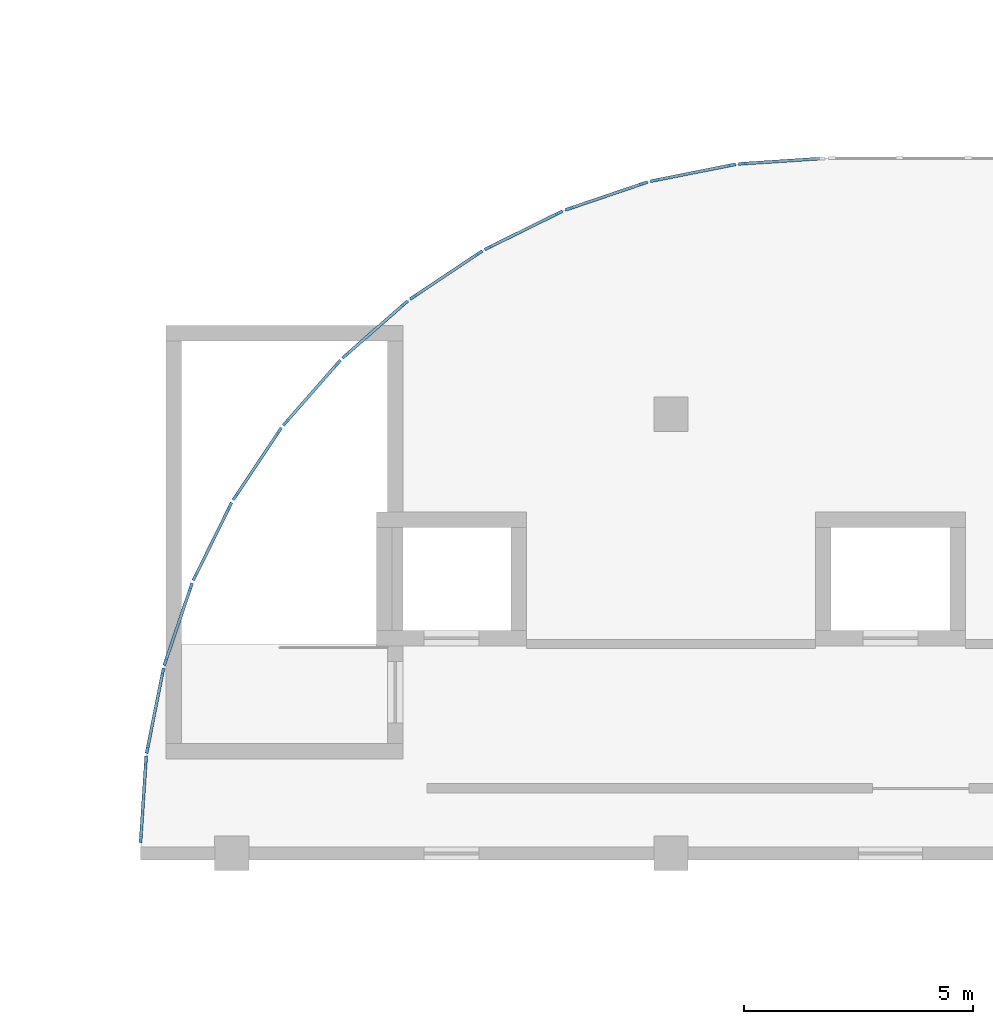
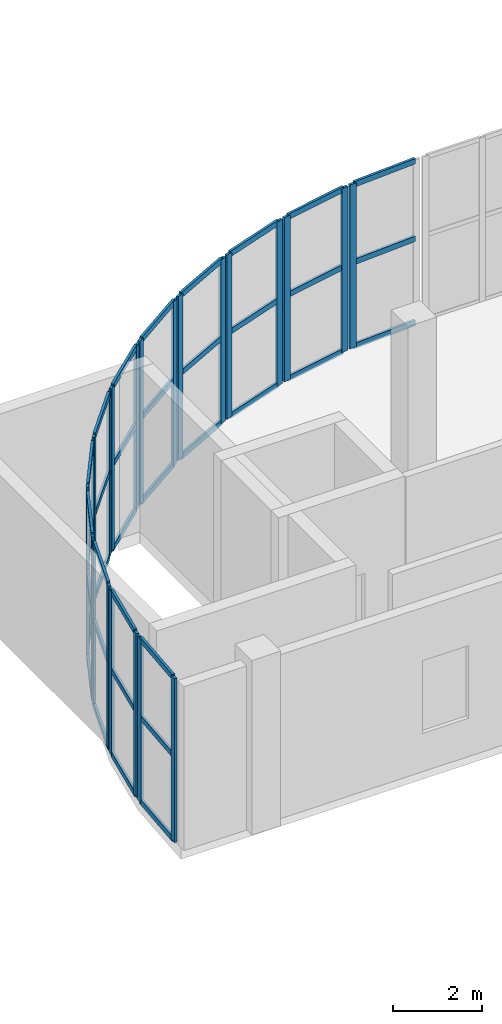
# One storey, part 13 of 28: 59 members, 12 elements without a shape of their own.
"""IFC4 building model written with IfcOpenShell, lengths in metres."""

from ifc_helpers import new_model, si_unit, direction, frame, origin, origin_2d, place, context, subcontext, project, spatial, rectangle, extrude, material, layer, layer_set, material_profile, profile_set, type_object, element, aggregate, save


model = new_model("IFC4")

# Units and contexts
model_context = context("Model", 3, precision=1e-05, world=origin(), true_north=direction((0.0, 1.0)))
body_context = subcontext(model_context, "Body", "Model", "MODEL_VIEW")
ifc_project = project(units=[si_unit("LENGTHUNIT", "METRE"), si_unit("AREAUNIT", "SQUARE_METRE"), si_unit("VOLUMEUNIT", "CUBIC_METRE"), si_unit("PLANEANGLEUNIT", "RADIAN"), si_unit("MASSUNIT", "GRAM", prefix="KILO")], contexts=[model_context])

# Site, building, storey
site_placement = place(None, origin())
site = spatial("IfcSite", under=ifc_project, at=site_placement, CompositionType="ELEMENT")
building_placement = place(site_placement, origin())
building = spatial("IfcBuilding", under=site, at=building_placement, Name="Cendralis Terraced Arcade", CompositionType="ELEMENT")
storey_placement = place(building_placement, frame((0.0, 0.0, 24.60009765625)))
storey = spatial("IfcBuildingStorey", under=building, at=storey_placement, Name="L05", CompositionType="ELEMENT", Elevation=24.60009765625)

# Curtain wall, members
ifc_material = material(Name="Anodised aluminium EN AW-6063 T6", Category="aluminium")
ifc_layer = layer(ifc_material, 0.179931640625, Name="CW-UNIT-A")
ifc_layer_set = layer_set([ifc_layer], Name="Anodised aluminium EN AW-6063 T6")
curtain_wall_type = type_object("IfcCurtainWallType", Name="CW-UNIT-A", PredefinedType="USERDEFINED", material=ifc_layer_set)
curtain_wall_1_placement = place(storey_placement, origin())
curtain_wall_1 = element("IfcCurtainWall", 1, at=curtain_wall_1_placement, inside=storey, type_object=curtain_wall_type, Name="Exterior Unitised Facade CW-L05-0431", ObjectType="UNITISED FACADE", PredefinedType="USERDEFINED")
ifc_material_profile_1 = material_profile(ifc_material, rectangle(XDim=0.06494140625, YDim=0.179931640625, at=origin_2d()), Name="ALU-MUL-65x180")
ifc_profile_set_1 = profile_set([ifc_material_profile_1], Name="Anodised aluminium EN AW-6063 T6")
member_type_1 = type_object("IfcMemberType", Name="CW-UNIT-A-MUL", PredefinedType="MULLION", material=ifc_profile_set_1)
member_1_placement = place(storey_placement, frame((7.60791015625, 69.922119140625, 0.0), z_axis=(0.0, 0.0, 1.0), x_axis=(-0.997860971336, 0.065371873798, 0.0)))
member_1 = element("IfcMember", 2, at=member_1_placement, type_object=member_type_1, Name="CW-U1 mullion 1", PredefinedType="MULLION", context=body_context, shape_type="SweptSolid", body=[
    extrude(rectangle(XDim=0.06494140625, YDim=0.179931640625, at=origin_2d()), origin(), (0.0, 0.0, 1.0), 4.510009765625),
])
member_2_placement = place(storey_placement, frame((7.72021484375, 71.6357421875, 0.0), z_axis=(0.0, 0.0, 1.0), x_axis=(-0.997860971336, 0.065371873798, 0.0)))
member_2 = element("IfcMember", 3, at=member_2_placement, type_object=member_type_1, Name="CW-U1 mullion 2", PredefinedType="MULLION", context=body_context, shape_type="SweptSolid", body=[
    extrude(rectangle(XDim=0.06494140625, YDim=0.179931640625, at=origin_2d()), origin(), (0.0, 0.0, 1.0), 4.510009765625),
])

curtain_wall_2_placement = place(storey_placement, origin())
curtain_wall_2 = element("IfcCurtainWall", 4, at=curtain_wall_2_placement, inside=storey, type_object=curtain_wall_type, Name="Exterior Unitised Facade CW-L05-0432", ObjectType="UNITISED FACADE", PredefinedType="USERDEFINED")
member_3_placement = place(storey_placement, frame((7.752197265625, 71.878173828125, 0.0), z_axis=(0.0, 0.0, 1.0), x_axis=(-0.980791618721, 0.195058454434, 0.0)))
member_3 = element("IfcMember", 5, at=member_3_placement, type_object=member_type_1, Name="CW-U1 mullion 1", PredefinedType="MULLION", context=body_context, shape_type="SweptSolid", body=[
    extrude(rectangle(XDim=0.06494140625, YDim=0.179931640625, at=origin_2d()), origin(), (0.0, 0.0, 1.0), 4.510009765625),
])
member_4_placement = place(storey_placement, frame((8.087158203125, 73.56201171875, 0.0), z_axis=(0.0, 0.0, 1.0), x_axis=(-0.980791618721, 0.195058454434, 0.0)))
member_4 = element("IfcMember", 6, at=member_4_placement, type_object=member_type_1, Name="CW-U1 mullion 2", PredefinedType="MULLION", context=body_context, shape_type="SweptSolid", body=[
    extrude(rectangle(XDim=0.06494140625, YDim=0.179931640625, at=origin_2d()), origin(), (0.0, 0.0, 1.0), 4.510009765625),
])

curtain_wall_3_placement = place(storey_placement, origin())
curtain_wall_3 = element("IfcCurtainWall", 7, at=curtain_wall_3_placement, inside=storey, type_object=curtain_wall_type, Name="Exterior Unitised Facade CW-L05-0433", ObjectType="UNITISED FACADE", PredefinedType="USERDEFINED")
member_5_placement = place(storey_placement, frame((8.150390625, 73.79833984375, 0.0), z_axis=(0.0, 0.0, 1.0), x_axis=(-0.946923811316, 0.321458077458, 0.0)))
member_5 = element("IfcMember", 8, at=member_5_placement, type_object=member_type_1, Name="CW-U1 mullion 1", PredefinedType="MULLION", context=body_context, shape_type="SweptSolid", body=[
    extrude(rectangle(XDim=0.06494140625, YDim=0.179931640625, at=origin_2d()), origin(), (0.0, 0.0, 1.0), 4.510009765625),
])
member_6_placement = place(storey_placement, frame((8.702392578125, 75.42431640625, 0.0), z_axis=(0.0, 0.0, 1.0), x_axis=(-0.946923811316, 0.321458077458, 0.0)))
member_6 = element("IfcMember", 9, at=member_6_placement, type_object=member_type_1, Name="CW-U1 mullion 2", PredefinedType="MULLION", context=body_context, shape_type="SweptSolid", body=[
    extrude(rectangle(XDim=0.06494140625, YDim=0.179931640625, at=origin_2d()), origin(), (0.0, 0.0, 1.0), 4.510009765625),
])

curtain_wall_4_placement = place(storey_placement, origin())
curtain_wall_4 = element("IfcCurtainWall", 10, at=curtain_wall_4_placement, inside=storey, type_object=curtain_wall_type, Name="Exterior Unitised Facade CW-L05-0434", ObjectType="UNITISED FACADE", PredefinedType="USERDEFINED")
member_7_placement = place(storey_placement, frame((8.7958984375, 75.650146484375, 0.0), z_axis=(0.0, 0.0, 1.0), x_axis=(-0.896871480419, 0.442291247495, 0.0)))
member_7 = element("IfcMember", 11, at=member_7_placement, type_object=member_type_1, Name="CW-U1 mullion 1", PredefinedType="MULLION", context=body_context, shape_type="SweptSolid", body=[
    extrude(rectangle(XDim=0.06494140625, YDim=0.179931640625, at=origin_2d()), origin(), (0.0, 0.0, 1.0), 4.510009765625),
])
member_8_placement = place(storey_placement, frame((9.555419921875, 77.190185546875, 0.0), z_axis=(0.0, 0.0, 1.0), x_axis=(-0.896871480419, 0.442291247495, 0.0)))
member_8 = element("IfcMember", 12, at=member_8_placement, type_object=member_type_1, Name="CW-U1 mullion 2", PredefinedType="MULLION", context=body_context, shape_type="SweptSolid", body=[
    extrude(rectangle(XDim=0.06494140625, YDim=0.179931640625, at=origin_2d()), origin(), (0.0, 0.0, 1.0), 4.510009765625),
])

curtain_wall_5_placement = place(storey_placement, origin())
curtain_wall_5 = element("IfcCurtainWall", 13, at=curtain_wall_5_placement, inside=storey, type_object=curtain_wall_type, Name="Exterior Unitised Facade CW-L05-0435", ObjectType="UNITISED FACADE", PredefinedType="USERDEFINED")
member_9_placement = place(storey_placement, frame((9.677734375, 77.40185546875, 0.0), z_axis=(0.0, 0.0, 1.0), x_axis=(-0.831471454125, 0.555567476528, 0.0)))
member_9 = element("IfcMember", 14, at=member_9_placement, type_object=member_type_1, Name="CW-U1 mullion 1", PredefinedType="MULLION", context=body_context, shape_type="SweptSolid", body=[
    extrude(rectangle(XDim=0.06494140625, YDim=0.179931640625, at=origin_2d()), origin(), (0.0, 0.0, 1.0), 4.510009765625),
])
member_10_placement = place(storey_placement, frame((10.631591796875, 78.82958984375, 0.0), z_axis=(0.0, 0.0, 1.0), x_axis=(-0.831471454125, 0.555567476528, 0.0)))
member_10 = element("IfcMember", 15, at=member_10_placement, type_object=member_type_1, Name="CW-U1 mullion 2", PredefinedType="MULLION", context=body_context, shape_type="SweptSolid", body=[
    extrude(rectangle(XDim=0.06494140625, YDim=0.179931640625, at=origin_2d()), origin(), (0.0, 0.0, 1.0), 4.510009765625),
])

curtain_wall_6_placement = place(storey_placement, origin())
curtain_wall_6 = element("IfcCurtainWall", 16, at=curtain_wall_6_placement, inside=storey, type_object=curtain_wall_type, Name="Exterior Unitised Facade CW-L05-0436", ObjectType="UNITISED FACADE", PredefinedType="USERDEFINED")
member_11_placement = place(storey_placement, frame((10.780517578125, 79.0234375, 0.0), z_axis=(0.0, 0.0, 1.0), x_axis=(-0.751804497477, 0.659386076266, 0.0)))
member_11 = element("IfcMember", 17, at=member_11_placement, type_object=member_type_1, Name="CW-U1 mullion 1", PredefinedType="MULLION", context=body_context, shape_type="SweptSolid", body=[
    extrude(rectangle(XDim=0.06494140625, YDim=0.179931640625, at=origin_2d()), origin(), (0.0, 0.0, 1.0), 4.510009765625),
])
member_12_placement = place(storey_placement, frame((11.91259765625, 80.314453125, 0.0), z_axis=(0.0, 0.0, 1.0), x_axis=(-0.751804497477, 0.659386076266, 0.0)))
member_12 = element("IfcMember", 18, at=member_12_placement, type_object=member_type_1, Name="CW-U1 mullion 2", PredefinedType="MULLION", context=body_context, shape_type="SweptSolid", body=[
    extrude(rectangle(XDim=0.06494140625, YDim=0.179931640625, at=origin_2d()), origin(), (0.0, 0.0, 1.0), 4.510009765625),
])

curtain_wall_7_placement = place(storey_placement, origin())
curtain_wall_7 = element("IfcCurtainWall", 19, at=curtain_wall_7_placement, inside=storey, type_object=curtain_wall_type, Name="Exterior Unitised Facade CW-L05-0437", ObjectType="UNITISED FACADE", PredefinedType="USERDEFINED")
member_13_placement = place(storey_placement, frame((12.08544921875, 80.4873046875, 0.0), z_axis=(0.0, 0.0, 1.0), x_axis=(-0.659386076266, 0.751804497477, 0.0)))
member_13 = element("IfcMember", 20, at=member_13_placement, type_object=member_type_1, Name="CW-U1 mullion 1", PredefinedType="MULLION", context=body_context, shape_type="SweptSolid", body=[
    extrude(rectangle(XDim=0.06494140625, YDim=0.179931640625, at=origin_2d()), origin(), (0.0, 0.0, 1.0), 4.510009765625),
])
member_14_placement = place(storey_placement, frame((13.37646484375, 81.61962890625, 0.0), z_axis=(0.0, 0.0, 1.0), x_axis=(-0.659386076266, 0.751804497477, 0.0)))
member_14 = element("IfcMember", 21, at=member_14_placement, type_object=member_type_1, Name="CW-U1 mullion 2", PredefinedType="MULLION", context=body_context, shape_type="SweptSolid", body=[
    extrude(rectangle(XDim=0.06494140625, YDim=0.179931640625, at=origin_2d()), origin(), (0.0, 0.0, 1.0), 4.510009765625),
])

curtain_wall_8_placement = place(storey_placement, origin())
curtain_wall_8 = element("IfcCurtainWall", 22, at=curtain_wall_8_placement, inside=storey, type_object=curtain_wall_type, Name="Exterior Unitised Facade CW-L05-0438", ObjectType="UNITISED FACADE", PredefinedType="USERDEFINED")
member_15_placement = place(storey_placement, frame((13.5703125, 81.768310546875, 0.0), z_axis=(0.0, 0.0, 1.0), x_axis=(-0.555567476528, 0.831471454125, 0.0)))
member_15 = element("IfcMember", 23, at=member_15_placement, type_object=member_type_1, Name="CW-U1 mullion 1", PredefinedType="MULLION", context=body_context, shape_type="SweptSolid", body=[
    extrude(rectangle(XDim=0.06494140625, YDim=0.179931640625, at=origin_2d()), origin(), (0.0, 0.0, 1.0), 4.510009765625),
])
member_16_placement = place(storey_placement, frame((14.998291015625, 82.722412109375, 0.0), z_axis=(0.0, 0.0, 1.0), x_axis=(-0.555567476528, 0.831471454125, 0.0)))
member_16 = element("IfcMember", 24, at=member_16_placement, type_object=member_type_1, Name="CW-U1 mullion 2", PredefinedType="MULLION", context=body_context, shape_type="SweptSolid", body=[
    extrude(rectangle(XDim=0.06494140625, YDim=0.179931640625, at=origin_2d()), origin(), (0.0, 0.0, 1.0), 4.510009765625),
])

curtain_wall_9_placement = place(storey_placement, origin())
curtain_wall_9 = element("IfcCurtainWall", 25, at=curtain_wall_9_placement, inside=storey, type_object=curtain_wall_type, Name="Exterior Unitised Facade CW-L05-0439", ObjectType="UNITISED FACADE", PredefinedType="USERDEFINED")
member_17_placement = place(storey_placement, frame((15.2099609375, 82.844482421875, 0.0), z_axis=(0.0, 0.0, 1.0), x_axis=(-0.442291247495, 0.896871480419, 0.0)))
member_17 = element("IfcMember", 26, at=member_17_placement, type_object=member_type_1, Name="CW-U1 mullion 1", PredefinedType="MULLION", context=body_context, shape_type="SweptSolid", body=[
    extrude(rectangle(XDim=0.06494140625, YDim=0.179931640625, at=origin_2d()), origin(), (0.0, 0.0, 1.0), 4.510009765625),
])
member_18_placement = place(storey_placement, frame((16.749755859375, 83.60400390625, 0.0), z_axis=(0.0, 0.0, 1.0), x_axis=(-0.442291247495, 0.896871480419, 0.0)))
member_18 = element("IfcMember", 27, at=member_18_placement, type_object=member_type_1, Name="CW-U1 mullion 2", PredefinedType="MULLION", context=body_context, shape_type="SweptSolid", body=[
    extrude(rectangle(XDim=0.06494140625, YDim=0.179931640625, at=origin_2d()), origin(), (0.0, 0.0, 1.0), 4.510009765625),
])

curtain_wall_10_placement = place(storey_placement, origin())
curtain_wall_10 = element("IfcCurtainWall", 28, at=curtain_wall_10_placement, inside=storey, type_object=curtain_wall_type, Name="Exterior Unitised Facade CW-L05-0440", ObjectType="UNITISED FACADE", PredefinedType="USERDEFINED")
member_19_placement = place(storey_placement, frame((16.9755859375, 83.697509765625, 0.0), z_axis=(0.0, 0.0, 1.0), x_axis=(-0.321458077458, 0.946923811316, 0.0)))
member_19 = element("IfcMember", 29, at=member_19_placement, type_object=member_type_1, Name="CW-U1 mullion 1", PredefinedType="MULLION", context=body_context, shape_type="SweptSolid", body=[
    extrude(rectangle(XDim=0.06494140625, YDim=0.179931640625, at=origin_2d()), origin(), (0.0, 0.0, 1.0), 4.510009765625),
])
member_20_placement = place(storey_placement, frame((18.601806640625, 84.24951171875, 0.0), z_axis=(0.0, 0.0, 1.0), x_axis=(-0.321458077458, 0.946923811316, 0.0)))
member_20 = element("IfcMember", 30, at=member_20_placement, type_object=member_type_1, Name="CW-U1 mullion 2", PredefinedType="MULLION", context=body_context, shape_type="SweptSolid", body=[
    extrude(rectangle(XDim=0.06494140625, YDim=0.179931640625, at=origin_2d()), origin(), (0.0, 0.0, 1.0), 4.510009765625),
])

curtain_wall_11_placement = place(storey_placement, origin())
curtain_wall_11 = element("IfcCurtainWall", 31, at=curtain_wall_11_placement, inside=storey, type_object=curtain_wall_type, Name="Exterior Unitised Facade CW-L05-0441", ObjectType="UNITISED FACADE", PredefinedType="USERDEFINED")
member_21_placement = place(storey_placement, frame((18.837890625, 84.312744140625, 0.0), z_axis=(0.0, 0.0, 1.0), x_axis=(-0.195058454434, 0.980791618721, 0.0)))
member_21 = element("IfcMember", 32, at=member_21_placement, type_object=member_type_1, Name="CW-U1 mullion 1", PredefinedType="MULLION", context=body_context, shape_type="SweptSolid", body=[
    extrude(rectangle(XDim=0.06494140625, YDim=0.179931640625, at=origin_2d()), origin(), (0.0, 0.0, 1.0), 4.510009765625),
])
member_22_placement = place(storey_placement, frame((20.52197265625, 84.647705078125, 0.0), z_axis=(0.0, 0.0, 1.0), x_axis=(-0.195058454434, 0.980791618721, 0.0)))
member_22 = element("IfcMember", 33, at=member_22_placement, type_object=member_type_1, Name="CW-U1 mullion 2", PredefinedType="MULLION", context=body_context, shape_type="SweptSolid", body=[
    extrude(rectangle(XDim=0.06494140625, YDim=0.179931640625, at=origin_2d()), origin(), (0.0, 0.0, 1.0), 4.510009765625),
])

# Curtain wall, member
curtain_wall_12_placement = place(storey_placement, origin())
curtain_wall_12 = element("IfcCurtainWall", 34, at=curtain_wall_12_placement, inside=storey, type_object=curtain_wall_type, Name="Exterior Unitised Facade CW-L05-0442", ObjectType="UNITISED FACADE", PredefinedType="USERDEFINED")
member_23_placement = place(storey_placement, frame((20.764404296875, 84.6796875, 0.0), z_axis=(0.0, 0.0, 1.0), x_axis=(-0.065371873798, 0.997860971336, 0.0)))
member_23 = element("IfcMember", 35, at=member_23_placement, type_object=member_type_1, Name="CW-U1 mullion 1", PredefinedType="MULLION", context=body_context, shape_type="SweptSolid", body=[
    extrude(rectangle(XDim=0.06494140625, YDim=0.179931640625, at=origin_2d()), origin(), (0.0, 0.0, 1.0), 4.510009765625),
])

# Member
ifc_material_profile_2 = material_profile(ifc_material, rectangle(XDim=0.06494140625, YDim=0.14990234375, at=origin_2d()), Name="ALU-TRN-65x150")
ifc_profile_set_2 = profile_set([ifc_material_profile_2], Name="Anodised aluminium EN AW-6063 T6")
member_type_2 = type_object("IfcMemberType", Name="CW-UNIT-A-TRN", PredefinedType="USERDEFINED", material=ifc_profile_set_2)
member_24_placement = place(storey_placement, frame((7.610107421875, 69.95458984375, 0.032470703125), z_axis=(0.065459774551, 0.997855208893, 0.0), x_axis=(-0.997855208893, 0.065459774551, 0.0)))
member_24 = element("IfcMember", 36, at=member_24_placement, type_object=member_type_2, Name="CW-U1 transom 1.1", ObjectType="TRANSOM", PredefinedType="USERDEFINED", context=body_context, shape_type="SweptSolid", body=[
    extrude(rectangle(XDim=0.06494140625, YDim=0.14990234375, at=origin_2d()), origin(), (0.0, 0.0, 1.0), 1.65234375),
])

member_25_placement = place(storey_placement, frame((7.610107421875, 69.95458984375, 2.34521484375), z_axis=(0.065459774551, 0.997855208893, 0.0), x_axis=(-0.997855208893, 0.065459774551, 0.0)))
member_25 = element("IfcMember", 37, at=member_25_placement, type_object=member_type_2, Name="CW-U1 transom 1.2", ObjectType="TRANSOM", PredefinedType="USERDEFINED", context=body_context, shape_type="SweptSolid", body=[
    extrude(rectangle(XDim=0.06494140625, YDim=0.14990234375, at=origin_2d()), origin(), (0.0, 0.0, 1.0), 1.65234375),
])

member_26_placement = place(storey_placement, frame((7.610107421875, 69.95458984375, 4.477294921875), z_axis=(0.065459774551, 0.997855208893, 0.0), x_axis=(-0.997855208893, 0.065459774551, 0.0)))
member_26 = element("IfcMember", 38, at=member_26_placement, type_object=member_type_2, Name="CW-U1 transom 1.3", ObjectType="TRANSOM", PredefinedType="USERDEFINED", context=body_context, shape_type="SweptSolid", body=[
    extrude(rectangle(XDim=0.06494140625, YDim=0.14990234375, at=origin_2d()), origin(), (0.0, 0.0, 1.0), 1.65234375),
])

aggregate(curtain_wall_1, [member_1, member_2, member_24, member_25, member_26])

member_27_placement = place(storey_placement, frame((7.758544921875, 71.909912109375, 0.032470703125), z_axis=(0.195064538134, 0.980790408784, 0.0), x_axis=(-0.980790408784, 0.195064538134, 0.0)))
member_27 = element("IfcMember", 39, at=member_27_placement, type_object=member_type_2, Name="CW-U1 transom 1.1", ObjectType="TRANSOM", PredefinedType="USERDEFINED", context=body_context, shape_type="SweptSolid", body=[
    extrude(rectangle(XDim=0.06494140625, YDim=0.14990234375, at=origin_2d()), origin(), (0.0, 0.0, 1.0), 1.652099609375),
])

member_28_placement = place(storey_placement, frame((7.758544921875, 71.909912109375, 2.34521484375), z_axis=(0.195064538134, 0.980790408784, 0.0), x_axis=(-0.980790408784, 0.195064538134, 0.0)))
member_28 = element("IfcMember", 40, at=member_28_placement, type_object=member_type_2, Name="CW-U1 transom 1.2", ObjectType="TRANSOM", PredefinedType="USERDEFINED", context=body_context, shape_type="SweptSolid", body=[
    extrude(rectangle(XDim=0.06494140625, YDim=0.14990234375, at=origin_2d()), origin(), (0.0, 0.0, 1.0), 1.652099609375),
])

member_29_placement = place(storey_placement, frame((7.758544921875, 71.909912109375, 4.477294921875), z_axis=(0.195064538134, 0.980790408784, 0.0), x_axis=(-0.980790408784, 0.195064538134, 0.0)))
member_29 = element("IfcMember", 41, at=member_29_placement, type_object=member_type_2, Name="CW-U1 transom 1.3", ObjectType="TRANSOM", PredefinedType="USERDEFINED", context=body_context, shape_type="SweptSolid", body=[
    extrude(rectangle(XDim=0.06494140625, YDim=0.14990234375, at=origin_2d()), origin(), (0.0, 0.0, 1.0), 1.652099609375),
])

aggregate(curtain_wall_2, [member_3, member_4, member_27, member_28, member_29])

member_30_placement = place(storey_placement, frame((8.160888671875, 73.8291015625, 0.032470703125), z_axis=(0.321409930755, 0.94694015461, 0.0), x_axis=(-0.94694015461, 0.321409930755, 0.0)))
member_30 = element("IfcMember", 42, at=member_30_placement, type_object=member_type_2, Name="CW-U1 transom 1.1", ObjectType="TRANSOM", PredefinedType="USERDEFINED", context=body_context, shape_type="SweptSolid", body=[
    extrude(rectangle(XDim=0.06494140625, YDim=0.14990234375, at=origin_2d()), origin(), (0.0, 0.0, 1.0), 1.652099609375),
])

member_31_placement = place(storey_placement, frame((8.160888671875, 73.8291015625, 2.34521484375), z_axis=(0.321409930755, 0.94694015461, 0.0), x_axis=(-0.94694015461, 0.321409930755, 0.0)))
member_31 = element("IfcMember", 43, at=member_31_placement, type_object=member_type_2, Name="CW-U1 transom 1.2", ObjectType="TRANSOM", PredefinedType="USERDEFINED", context=body_context, shape_type="SweptSolid", body=[
    extrude(rectangle(XDim=0.06494140625, YDim=0.14990234375, at=origin_2d()), origin(), (0.0, 0.0, 1.0), 1.652099609375),
])

member_32_placement = place(storey_placement, frame((8.160888671875, 73.8291015625, 4.477294921875), z_axis=(0.321409930755, 0.94694015461, 0.0), x_axis=(-0.94694015461, 0.321409930755, 0.0)))
member_32 = element("IfcMember", 44, at=member_32_placement, type_object=member_type_2, Name="CW-U1 transom 1.3", ObjectType="TRANSOM", PredefinedType="USERDEFINED", context=body_context, shape_type="SweptSolid", body=[
    extrude(rectangle(XDim=0.06494140625, YDim=0.14990234375, at=origin_2d()), origin(), (0.0, 0.0, 1.0), 1.652099609375),
])

aggregate(curtain_wall_3, [member_5, member_6, member_30, member_31, member_32])

member_33_placement = place(storey_placement, frame((8.810302734375, 75.67919921875, 0.032470703125), z_axis=(0.442300625853, 0.896866855431, 0.0), x_axis=(-0.896866855431, 0.442300625853, 0.0)))
member_33 = element("IfcMember", 45, at=member_33_placement, type_object=member_type_2, Name="CW-U1 transom 1.1", ObjectType="TRANSOM", PredefinedType="USERDEFINED", context=body_context, shape_type="SweptSolid", body=[
    extrude(rectangle(XDim=0.06494140625, YDim=0.14990234375, at=origin_2d()), origin(), (0.0, 0.0, 1.0), 1.652099609375),
])

member_34_placement = place(storey_placement, frame((8.810302734375, 75.67919921875, 2.34521484375), z_axis=(0.442300625853, 0.896866855431, 0.0), x_axis=(-0.896866855431, 0.442300625853, 0.0)))
member_34 = element("IfcMember", 46, at=member_34_placement, type_object=member_type_2, Name="CW-U1 transom 1.2", ObjectType="TRANSOM", PredefinedType="USERDEFINED", context=body_context, shape_type="SweptSolid", body=[
    extrude(rectangle(XDim=0.06494140625, YDim=0.14990234375, at=origin_2d()), origin(), (0.0, 0.0, 1.0), 1.652099609375),
])

member_35_placement = place(storey_placement, frame((8.810302734375, 75.67919921875, 4.477294921875), z_axis=(0.442300625853, 0.896866855431, 0.0), x_axis=(-0.896866855431, 0.442300625853, 0.0)))
member_35 = element("IfcMember", 47, at=member_35_placement, type_object=member_type_2, Name="CW-U1 transom 1.3", ObjectType="TRANSOM", PredefinedType="USERDEFINED", context=body_context, shape_type="SweptSolid", body=[
    extrude(rectangle(XDim=0.06494140625, YDim=0.14990234375, at=origin_2d()), origin(), (0.0, 0.0, 1.0), 1.652099609375),
])

aggregate(curtain_wall_4, [member_7, member_8, member_33, member_34, member_35])

member_36_placement = place(storey_placement, frame((9.69580078125, 77.428955078125, 0.032470703125), z_axis=(0.555552554851, 0.831481424206, 0.0), x_axis=(-0.831481424206, 0.555552554851, 0.0)))
member_36 = element("IfcMember", 48, at=member_36_placement, type_object=member_type_2, Name="CW-U1 transom 1.1", ObjectType="TRANSOM", PredefinedType="USERDEFINED", context=body_context, shape_type="SweptSolid", body=[
    extrude(rectangle(XDim=0.06494140625, YDim=0.14990234375, at=origin_2d()), origin(), (0.0, 0.0, 1.0), 1.65185546875),
])

member_37_placement = place(storey_placement, frame((9.69580078125, 77.428955078125, 2.34521484375), z_axis=(0.555552554851, 0.831481424206, 0.0), x_axis=(-0.831481424206, 0.555552554851, 0.0)))
member_37 = element("IfcMember", 49, at=member_37_placement, type_object=member_type_2, Name="CW-U1 transom 1.2", ObjectType="TRANSOM", PredefinedType="USERDEFINED", context=body_context, shape_type="SweptSolid", body=[
    extrude(rectangle(XDim=0.06494140625, YDim=0.14990234375, at=origin_2d()), origin(), (0.0, 0.0, 1.0), 1.65185546875),
])

member_38_placement = place(storey_placement, frame((9.69580078125, 77.428955078125, 4.477294921875), z_axis=(0.555552554851, 0.831481424206, 0.0), x_axis=(-0.831481424206, 0.555552554851, 0.0)))
member_38 = element("IfcMember", 50, at=member_38_placement, type_object=member_type_2, Name="CW-U1 transom 1.3", ObjectType="TRANSOM", PredefinedType="USERDEFINED", context=body_context, shape_type="SweptSolid", body=[
    extrude(rectangle(XDim=0.06494140625, YDim=0.14990234375, at=origin_2d()), origin(), (0.0, 0.0, 1.0), 1.65185546875),
])

aggregate(curtain_wall_5, [member_9, member_10, member_36, member_37, member_38])

member_39_placement = place(storey_placement, frame((10.8017578125, 79.0478515625, 0.032470703125), z_axis=(0.659424633717, 0.751770678098, 0.0), x_axis=(-0.751770678098, 0.659424633717, 0.0)))
member_39 = element("IfcMember", 51, at=member_39_placement, type_object=member_type_2, Name="CW-U1 transom 1.1", ObjectType="TRANSOM", PredefinedType="USERDEFINED", context=body_context, shape_type="SweptSolid", body=[
    extrude(rectangle(XDim=0.06494140625, YDim=0.14990234375, at=origin_2d()), origin(), (0.0, 0.0, 1.0), 1.65234375),
])

member_40_placement = place(storey_placement, frame((10.8017578125, 79.0478515625, 2.34521484375), z_axis=(0.659424633717, 0.751770678098, 0.0), x_axis=(-0.751770678098, 0.659424633717, 0.0)))
member_40 = element("IfcMember", 52, at=member_40_placement, type_object=member_type_2, Name="CW-U1 transom 1.2", ObjectType="TRANSOM", PredefinedType="USERDEFINED", context=body_context, shape_type="SweptSolid", body=[
    extrude(rectangle(XDim=0.06494140625, YDim=0.14990234375, at=origin_2d()), origin(), (0.0, 0.0, 1.0), 1.65234375),
])

member_41_placement = place(storey_placement, frame((10.8017578125, 79.0478515625, 4.477294921875), z_axis=(0.659424633717, 0.751770678098, 0.0), x_axis=(-0.751770678098, 0.659424633717, 0.0)))
member_41 = element("IfcMember", 53, at=member_41_placement, type_object=member_type_2, Name="CW-U1 transom 1.3", ObjectType="TRANSOM", PredefinedType="USERDEFINED", context=body_context, shape_type="SweptSolid", body=[
    extrude(rectangle(XDim=0.06494140625, YDim=0.14990234375, at=origin_2d()), origin(), (0.0, 0.0, 1.0), 1.65234375),
])

aggregate(curtain_wall_6, [member_11, member_12, member_39, member_40, member_41])

member_42_placement = place(storey_placement, frame((12.10986328125, 80.5087890625, 0.032470703125), z_axis=(0.751843927425, 0.659341117172, 0.0), x_axis=(-0.659341117172, 0.751843927425, 0.0)))
member_42 = element("IfcMember", 54, at=member_42_placement, type_object=member_type_2, Name="CW-U1 transom 1.1", ObjectType="TRANSOM", PredefinedType="USERDEFINED", context=body_context, shape_type="SweptSolid", body=[
    extrude(rectangle(XDim=0.06494140625, YDim=0.14990234375, at=origin_2d()), origin(), (0.0, 0.0, 1.0), 1.652099609375),
])

member_43_placement = place(storey_placement, frame((12.10986328125, 80.5087890625, 2.34521484375), z_axis=(0.751843927425, 0.659341117172, 0.0), x_axis=(-0.659341117172, 0.751843927425, 0.0)))
member_43 = element("IfcMember", 55, at=member_43_placement, type_object=member_type_2, Name="CW-U1 transom 1.2", ObjectType="TRANSOM", PredefinedType="USERDEFINED", context=body_context, shape_type="SweptSolid", body=[
    extrude(rectangle(XDim=0.06494140625, YDim=0.14990234375, at=origin_2d()), origin(), (0.0, 0.0, 1.0), 1.652099609375),
])

member_44_placement = place(storey_placement, frame((12.10986328125, 80.5087890625, 4.477294921875), z_axis=(0.751843927425, 0.659341117172, 0.0), x_axis=(-0.659341117172, 0.751843927425, 0.0)))
member_44 = element("IfcMember", 56, at=member_44_placement, type_object=member_type_2, Name="CW-U1 transom 1.3", ObjectType="TRANSOM", PredefinedType="USERDEFINED", context=body_context, shape_type="SweptSolid", body=[
    extrude(rectangle(XDim=0.06494140625, YDim=0.14990234375, at=origin_2d()), origin(), (0.0, 0.0, 1.0), 1.652099609375),
])

aggregate(curtain_wall_7, [member_13, member_14, member_42, member_43, member_44])

member_45_placement = place(storey_placement, frame((13.597412109375, 81.786376953125, 0.032470703125), z_axis=(0.831458772582, 0.555586455466, 0.0), x_axis=(-0.555586455466, 0.831458772582, 0.0)))
member_45 = element("IfcMember", 57, at=member_45_placement, type_object=member_type_2, Name="CW-U1 transom 1.1", ObjectType="TRANSOM", PredefinedType="USERDEFINED", context=body_context, shape_type="SweptSolid", body=[
    extrude(rectangle(XDim=0.06494140625, YDim=0.14990234375, at=origin_2d()), origin(), (0.0, 0.0, 1.0), 1.65234375),
])

member_46_placement = place(storey_placement, frame((13.597412109375, 81.786376953125, 2.34521484375), z_axis=(0.831458772582, 0.555586455466, 0.0), x_axis=(-0.555586455466, 0.831458772582, 0.0)))
member_46 = element("IfcMember", 58, at=member_46_placement, type_object=member_type_2, Name="CW-U1 transom 1.2", ObjectType="TRANSOM", PredefinedType="USERDEFINED", context=body_context, shape_type="SweptSolid", body=[
    extrude(rectangle(XDim=0.06494140625, YDim=0.14990234375, at=origin_2d()), origin(), (0.0, 0.0, 1.0), 1.65234375),
])

member_47_placement = place(storey_placement, frame((13.597412109375, 81.786376953125, 4.477294921875), z_axis=(0.831458772582, 0.555586455466, 0.0), x_axis=(-0.555586455466, 0.831458772582, 0.0)))
member_47 = element("IfcMember", 59, at=member_47_placement, type_object=member_type_2, Name="CW-U1 transom 1.3", ObjectType="TRANSOM", PredefinedType="USERDEFINED", context=body_context, shape_type="SweptSolid", body=[
    extrude(rectangle(XDim=0.06494140625, YDim=0.14990234375, at=origin_2d()), origin(), (0.0, 0.0, 1.0), 1.65234375),
])

aggregate(curtain_wall_8, [member_15, member_16, member_45, member_46, member_47])

member_48_placement = place(storey_placement, frame((15.239013671875, 82.85888671875, 0.032470703125), z_axis=(0.896866855431, 0.442300625853, 0.0), x_axis=(-0.442300625853, 0.896866855431, 0.0)))
member_48 = element("IfcMember", 60, at=member_48_placement, type_object=member_type_2, Name="CW-U1 transom 1.1", ObjectType="TRANSOM", PredefinedType="USERDEFINED", context=body_context, shape_type="SweptSolid", body=[
    extrude(rectangle(XDim=0.06494140625, YDim=0.14990234375, at=origin_2d()), origin(), (0.0, 0.0, 1.0), 1.652099609375),
])

member_49_placement = place(storey_placement, frame((15.239013671875, 82.85888671875, 2.34521484375), z_axis=(0.896866855431, 0.442300625853, 0.0), x_axis=(-0.442300625853, 0.896866855431, 0.0)))
member_49 = element("IfcMember", 61, at=member_49_placement, type_object=member_type_2, Name="CW-U1 transom 1.2", ObjectType="TRANSOM", PredefinedType="USERDEFINED", context=body_context, shape_type="SweptSolid", body=[
    extrude(rectangle(XDim=0.06494140625, YDim=0.14990234375, at=origin_2d()), origin(), (0.0, 0.0, 1.0), 1.652099609375),
])

member_50_placement = place(storey_placement, frame((15.239013671875, 82.85888671875, 4.477294921875), z_axis=(0.896866855431, 0.442300625853, 0.0), x_axis=(-0.442300625853, 0.896866855431, 0.0)))
member_50 = element("IfcMember", 62, at=member_50_placement, type_object=member_type_2, Name="CW-U1 transom 1.3", ObjectType="TRANSOM", PredefinedType="USERDEFINED", context=body_context, shape_type="SweptSolid", body=[
    extrude(rectangle(XDim=0.06494140625, YDim=0.14990234375, at=origin_2d()), origin(), (0.0, 0.0, 1.0), 1.652099609375),
])

aggregate(curtain_wall_9, [member_17, member_18, member_48, member_49, member_50])

member_51_placement = place(storey_placement, frame((17.00634765625, 83.7080078125, 0.032470703125), z_axis=(0.946955417172, 0.321364960579, 0.0), x_axis=(-0.321364960579, 0.946955417172, 0.0)))
member_51 = element("IfcMember", 63, at=member_51_placement, type_object=member_type_2, Name="CW-U1 transom 1.1", ObjectType="TRANSOM", PredefinedType="USERDEFINED", context=body_context, shape_type="SweptSolid", body=[
    extrude(rectangle(XDim=0.06494140625, YDim=0.14990234375, at=origin_2d()), origin(), (0.0, 0.0, 1.0), 1.65234375),
])

member_52_placement = place(storey_placement, frame((17.00634765625, 83.7080078125, 2.34521484375), z_axis=(0.946955417172, 0.321364960579, 0.0), x_axis=(-0.321364960579, 0.946955417172, 0.0)))
member_52 = element("IfcMember", 64, at=member_52_placement, type_object=member_type_2, Name="CW-U1 transom 1.2", ObjectType="TRANSOM", PredefinedType="USERDEFINED", context=body_context, shape_type="SweptSolid", body=[
    extrude(rectangle(XDim=0.06494140625, YDim=0.14990234375, at=origin_2d()), origin(), (0.0, 0.0, 1.0), 1.65234375),
])

member_53_placement = place(storey_placement, frame((17.00634765625, 83.7080078125, 4.477294921875), z_axis=(0.946955417172, 0.321364960579, 0.0), x_axis=(-0.321364960579, 0.946955417172, 0.0)))
member_53 = element("IfcMember", 65, at=member_53_placement, type_object=member_type_2, Name="CW-U1 transom 1.3", ObjectType="TRANSOM", PredefinedType="USERDEFINED", context=body_context, shape_type="SweptSolid", body=[
    extrude(rectangle(XDim=0.06494140625, YDim=0.14990234375, at=origin_2d()), origin(), (0.0, 0.0, 1.0), 1.65234375),
])

aggregate(curtain_wall_10, [member_19, member_20, member_51, member_52, member_53])

member_54_placement = place(storey_placement, frame((18.869873046875, 84.319091796875, 0.032470703125), z_axis=(0.980784784652, 0.195092814307, 0.0), x_axis=(-0.195092814307, 0.980784784652, 0.0)))
member_54 = element("IfcMember", 66, at=member_54_placement, type_object=member_type_2, Name="CW-U1 transom 1.1", ObjectType="TRANSOM", PredefinedType="USERDEFINED", context=body_context, shape_type="SweptSolid", body=[
    extrude(rectangle(XDim=0.06494140625, YDim=0.14990234375, at=origin_2d()), origin(), (0.0, 0.0, 1.0), 1.65185546875),
])

member_55_placement = place(storey_placement, frame((18.869873046875, 84.319091796875, 2.34521484375), z_axis=(0.980784784652, 0.195092814307, 0.0), x_axis=(-0.195092814307, 0.980784784652, 0.0)))
member_55 = element("IfcMember", 67, at=member_55_placement, type_object=member_type_2, Name="CW-U1 transom 1.2", ObjectType="TRANSOM", PredefinedType="USERDEFINED", context=body_context, shape_type="SweptSolid", body=[
    extrude(rectangle(XDim=0.06494140625, YDim=0.14990234375, at=origin_2d()), origin(), (0.0, 0.0, 1.0), 1.65185546875),
])

member_56_placement = place(storey_placement, frame((18.869873046875, 84.319091796875, 4.477294921875), z_axis=(0.980784784652, 0.195092814307, 0.0), x_axis=(-0.195092814307, 0.980784784652, 0.0)))
member_56 = element("IfcMember", 68, at=member_56_placement, type_object=member_type_2, Name="CW-U1 transom 1.3", ObjectType="TRANSOM", PredefinedType="USERDEFINED", context=body_context, shape_type="SweptSolid", body=[
    extrude(rectangle(XDim=0.06494140625, YDim=0.14990234375, at=origin_2d()), origin(), (0.0, 0.0, 1.0), 1.65185546875),
])

aggregate(curtain_wall_11, [member_21, member_22, member_54, member_55, member_56])

member_57_placement = place(storey_placement, frame((20.796875, 84.681884765625, 0.032470703125), z_axis=(0.997864219568, 0.065322272667, 0.0), x_axis=(-0.065322272667, 0.997864219568, 0.0)))
member_57 = element("IfcMember", 69, at=member_57_placement, type_object=member_type_2, Name="CW-U1 transom 1.1", ObjectType="TRANSOM", PredefinedType="USERDEFINED", context=body_context, shape_type="SweptSolid", body=[
    extrude(rectangle(XDim=0.06494140625, YDim=0.14990234375, at=origin_2d()), origin(), (0.0, 0.0, 1.0), 1.65185546875),
])

member_58_placement = place(storey_placement, frame((20.796875, 84.681884765625, 2.34521484375), z_axis=(0.997864219568, 0.065322272667, 0.0), x_axis=(-0.065322272667, 0.997864219568, 0.0)))
member_58 = element("IfcMember", 70, at=member_58_placement, type_object=member_type_2, Name="CW-U1 transom 1.2", ObjectType="TRANSOM", PredefinedType="USERDEFINED", context=body_context, shape_type="SweptSolid", body=[
    extrude(rectangle(XDim=0.06494140625, YDim=0.14990234375, at=origin_2d()), origin(), (0.0, 0.0, 1.0), 1.65185546875),
])

member_59_placement = place(storey_placement, frame((20.796875, 84.681884765625, 4.477294921875), z_axis=(0.997864219568, 0.065322272667, 0.0), x_axis=(-0.065322272667, 0.997864219568, 0.0)))
member_59 = element("IfcMember", 71, at=member_59_placement, type_object=member_type_2, Name="CW-U1 transom 1.3", ObjectType="TRANSOM", PredefinedType="USERDEFINED", context=body_context, shape_type="SweptSolid", body=[
    extrude(rectangle(XDim=0.06494140625, YDim=0.14990234375, at=origin_2d()), origin(), (0.0, 0.0, 1.0), 1.65185546875),
])

aggregate(curtain_wall_12, [member_23, member_57, member_58, member_59])

save(model, "model.ifc")
